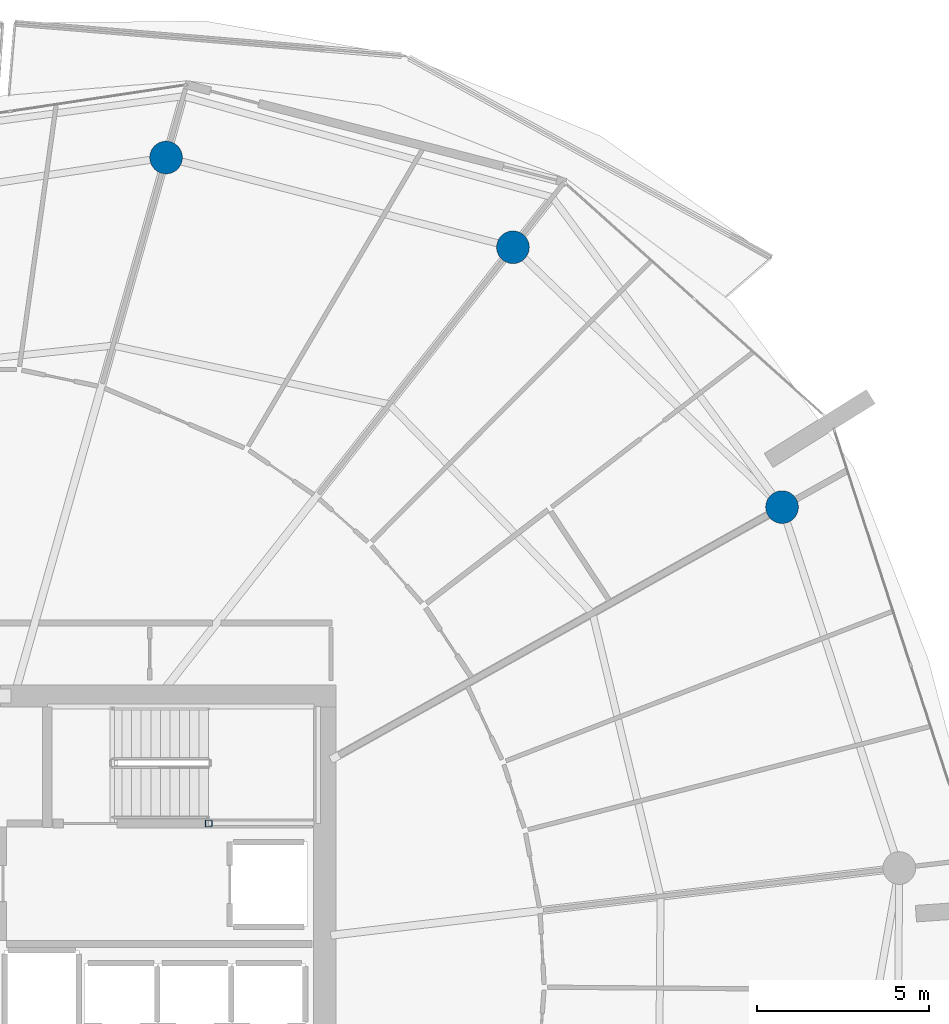
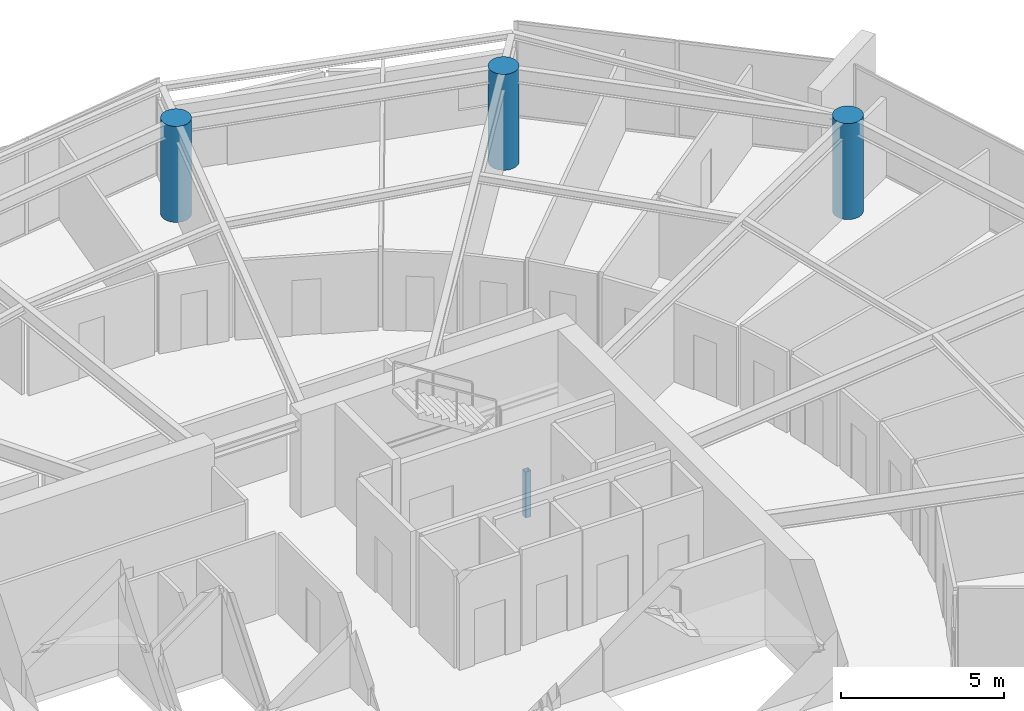
# One storey, part 5 of 30: 4 columns.
"""IFC4 building model written with IfcOpenShell, lengths in metres."""

from ifc_helpers import new_model, si_unit, direction, frame, origin, origin_2d, place, context, subcontext, project, spatial, hollow_rectangle, circle, extrude, material, material_profile, profile_set, type_object, element, save


model = new_model("IFC4")

# Units and contexts
model_context = context("Model", 3, precision=1e-05, world=origin(), true_north=direction((0.0, 1.0)))
body_context = subcontext(model_context, "Body", "Model", "MODEL_VIEW")
ifc_project = project(units=[si_unit("LENGTHUNIT", "METRE"), si_unit("AREAUNIT", "SQUARE_METRE"), si_unit("VOLUMEUNIT", "CUBIC_METRE"), si_unit("PLANEANGLEUNIT", "RADIAN"), si_unit("MASSUNIT", "GRAM", prefix="KILO")], contexts=[model_context])

# Site, building, storey
site_placement = place(None, origin())
site = spatial("IfcSite", under=ifc_project, at=site_placement, CompositionType="ELEMENT")
building_placement = place(site_placement, origin())
building = spatial("IfcBuilding", under=site, at=building_placement, Name="Kazma Halo Residences", CompositionType="ELEMENT")
storey_placement = place(building_placement, frame((0.0, 0.0, 244.39990234375)))
storey = spatial("IfcBuildingStorey", under=building, at=storey_placement, Name="L61", CompositionType="ELEMENT", Elevation=244.39990234375)

# Columns
ifc_material_1 = material(Name="Steel S355", Category="steel")
ifc_material_profile_1 = material_profile(ifc_material_1, hollow_rectangle(XDim=0.199951171875, YDim=0.199951171875, WallThickness=0.010009765625, InnerFilletRadius=0.010009765625, OuterFilletRadius=0.02001953125, at=origin_2d()), Name="SHS200x200x10")
ifc_profile_set_1 = profile_set([ifc_material_profile_1], Name="Steel S355")
column_type_1 = type_object("IfcColumnType", Name="COL-LP-SHS200", PredefinedType="COLUMN", material=ifc_profile_set_1)
column_placement = place(storey_placement, frame((56.0, 46.6201171875, 0.0), z_axis=(0.0, 0.0, 1.0), x_axis=(1.0, 0.0, 0.0)))
element("IfcColumn", 1, at=column_placement, inside=storey, type_object=column_type_1, Name="L61 ST-02 landing pilaster 1", PredefinedType="COLUMN", context=body_context, shape_type="SweptSolid", body=[
    extrude(hollow_rectangle(XDim=0.199951171875, YDim=0.199951171875, WallThickness=0.010009765625, InnerFilletRadius=0.010009765625, OuterFilletRadius=0.02001953125, at=origin_2d()), origin(), (0.0, 0.0, 1.0), 1.72021484375),
])
ifc_material_2 = material(Name="Concrete C60/75", Category="concrete")
ifc_material_profile_2 = material_profile(ifc_material_2, circle(Radius=0.47509765625, at=origin_2d()), Name="CIRC950")
ifc_profile_set_2 = profile_set([ifc_material_profile_2], Name="Concrete C60/75")
column_type_2 = type_object("IfcColumnType", Name="COL-PERIM-950", PredefinedType="COLUMN", material=ifc_profile_set_2)
for number, where, z_axis, x_axis, name in (
    (2, (72.67041015625, 55.81591796875, 0.0), (0.0, 0.0, 1.0), (1.0, 0.0, 0.0), "L61 perimeter ring column P01"),
    (3, (64.84716796875, 63.37060546875, 0.0), (0.0, 0.0, 1.0), (1.0, 0.0, 0.0), "L61 perimeter ring column P02"),
    (4, (54.762939453125, 65.9794921875, 0.0), (0.0, 0.0, 1.0), (1.0, 0.0, 0.0), "L61 perimeter ring column P03"),
):
    element("IfcColumn", number, at=place(storey_placement, frame(where, z_axis=z_axis, x_axis=x_axis)), inside=storey, type_object=column_type_2, Name=name, PredefinedType="COLUMN", context=body_context, shape_type="SweptSolid", body=[
        extrude(circle(Radius=0.47509765625, at=origin_2d()), origin(), (0.0, 0.0, 1.0), 3.590087890625),
    ])

save(model, "model.ifc")
